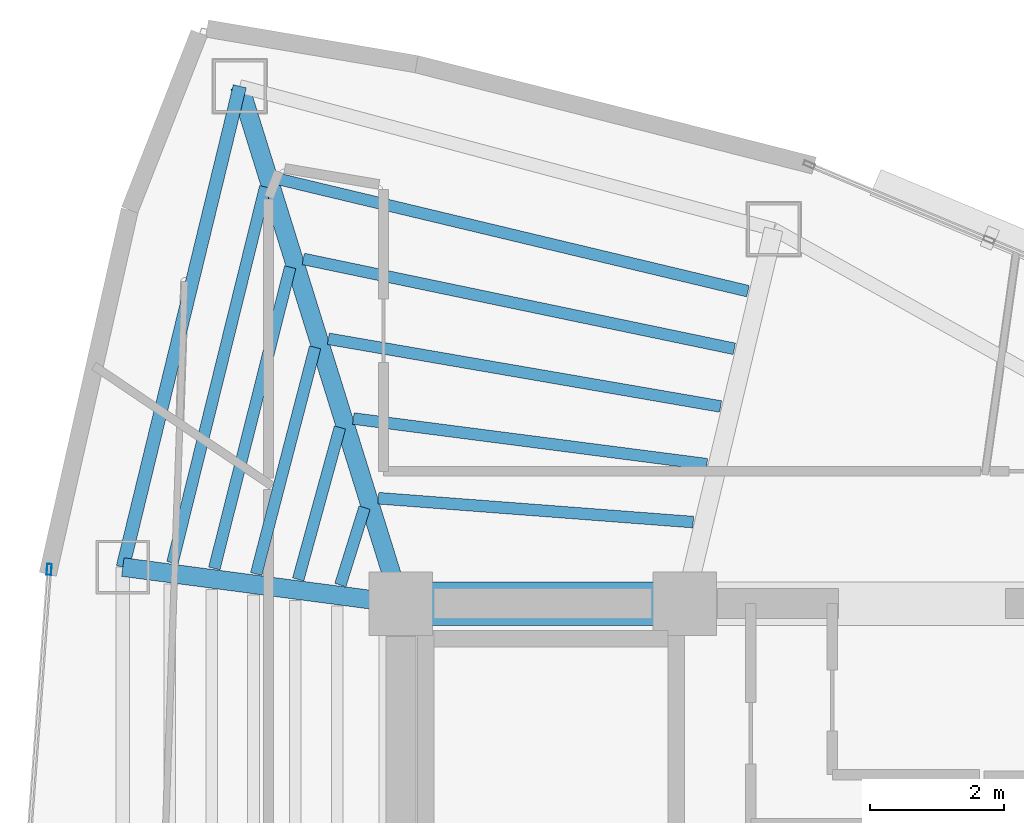
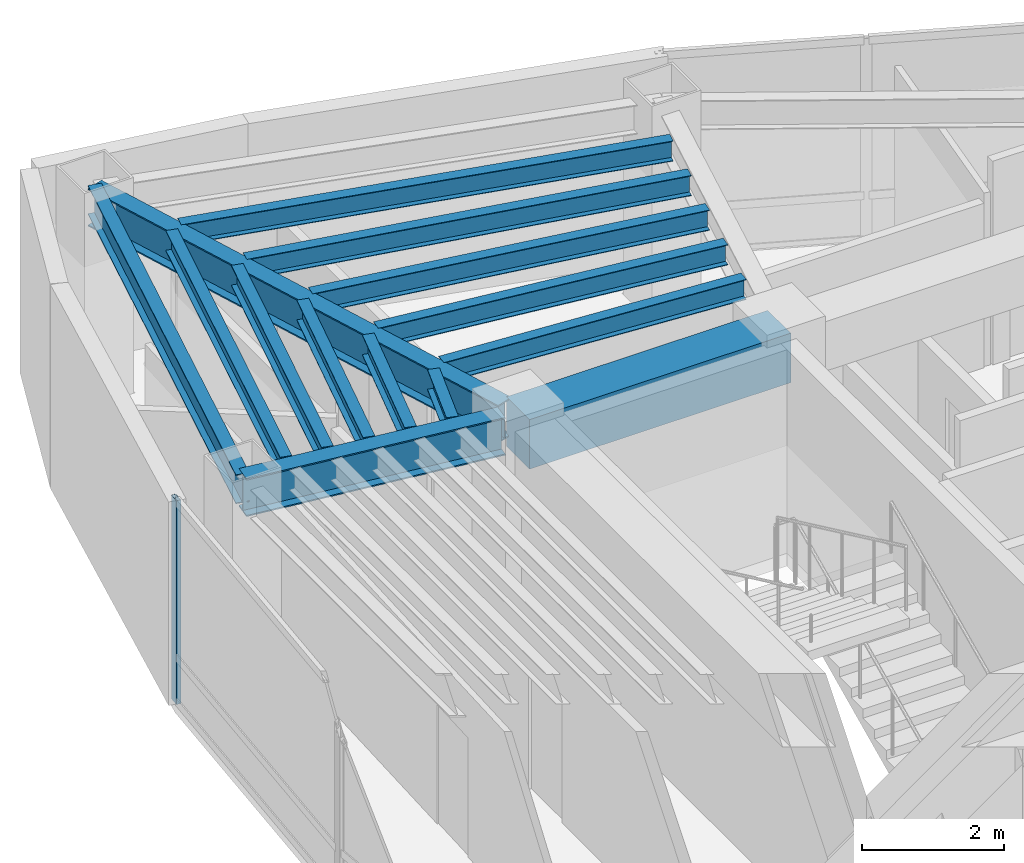
# One storey, part 7 of 16: 14 beams, 1 member, 1 element without a shape of its own.
"""IFC4 building model written with IfcOpenShell, lengths in metres."""

from ifc_helpers import new_model, si_unit, direction, frame, origin, origin_2d, place, context, subcontext, project, spatial, rectangle, hollow_rectangle, i_section, extrude, material, layer, layer_set, material_profile, profile_set, type_object, element, aggregate, save


model = new_model("IFC4")

# Units and contexts
model_context = context("Model", 3, precision=1e-05, world=origin(), true_north=direction((0.0, 1.0)))
body_context = subcontext(model_context, "Body", "Model", "MODEL_VIEW")
ifc_project = project(units=[si_unit("LENGTHUNIT", "METRE"), si_unit("AREAUNIT", "SQUARE_METRE"), si_unit("VOLUMEUNIT", "CUBIC_METRE"), si_unit("PLANEANGLEUNIT", "RADIAN"), si_unit("MASSUNIT", "GRAM", prefix="KILO")], contexts=[model_context])

# Site, building, storey
site_placement = place(None, origin())
site = spatial("IfcSite", under=ifc_project, at=site_placement, CompositionType="ELEMENT")
building_placement = place(site_placement, origin())
building = spatial("IfcBuilding", under=site, at=building_placement, Name="Menara Vayukalpa", CompositionType="ELEMENT")
storey_placement = place(building_placement, frame((0.0, 0.0, 276.89990234375)))
storey = spatial("IfcBuildingStorey", under=building, at=storey_placement, Name="L70", CompositionType="ELEMENT", Elevation=276.89990234375)

# Beams
ifc_material_1 = material(Name="Concrete C60/75", Category="concrete")
ifc_material_profile_1 = material_profile(ifc_material_1, rectangle(XDim=0.64990234375, YDim=0.85009765625, at=origin_2d()), Name="RC 650x850")
ifc_profile_set_1 = profile_set([ifc_material_profile_1], Name="Concrete C60/75")
beam_type_1 = type_object("IfcBeamType", Name="BM-CB1", PredefinedType="BEAM", material=ifc_profile_set_1)
beam_1_placement = place(storey_placement, frame((17.800048828125, 26.800048828125, 3.0751953125), z_axis=(1.0, 0.0, 0.0), x_axis=(0.0, 1.0, 0.0)))
element("IfcBeam", 1, at=beam_1_placement, inside=storey, type_object=beam_type_1, Name="L70 Core Tie Beam CBR4", PredefinedType="BEAM", context=body_context, shape_type="SweptSolid", body=[
    extrude(rectangle(XDim=0.64990234375, YDim=0.85009765625, at=origin_2d()), origin(), (0.0, 0.0, 1.0), 4.25),
])
ifc_material_2 = material(Name="Steel S355", Category="steel")
ifc_material_profile_2 = material_profile(ifc_material_2, i_section(OverallWidth=0.280029296875, OverallDepth=0.64990234375, WebThickness=0.012939453125, FlangeThickness=0.02197265625, at=origin_2d()), Name="WF 650x280x13x22")
ifc_profile_set_2 = profile_set([ifc_material_profile_2], Name="Steel S355")
beam_type_2 = type_object("IfcBeamType", Name="BM-PG6", PredefinedType="BEAM", material=ifc_profile_set_2)
beam_2_placement = place(storey_placement, frame((17.7255859375, 27.038818359375, 3.175048828125), z_axis=(-0.297213792842, 0.954810955815, 0.0), x_axis=(-0.954810955815, -0.297213792842, 0.0)))
element("IfcBeam", 2, at=beam_2_placement, inside=storey, type_object=beam_type_2, Name="L70 Primary Radial Girder RG04", PredefinedType="BEAM", context=body_context, shape_type="SweptSolid", body=[
    extrude(i_section(OverallWidth=0.280029296875, OverallDepth=0.64990234375, WebThickness=0.012939453125, FlangeThickness=0.02197265625, at=origin_2d()), origin(), (0.0, 0.0, 1.0), 7.861083984375),
])
beam_3_placement = place(storey_placement, frame((17.552001953125, 26.83251953125, 3.175048828125), z_axis=(-0.991477860763, 0.130275291662, 0.0), x_axis=(-0.130275291662, -0.991477860763, 0.0)))
element("IfcBeam", 3, at=beam_3_placement, inside=storey, type_object=beam_type_2, Name="L70 Primary Radial Girder RG05", PredefinedType="BEAM", context=body_context, shape_type="SweptSolid", body=[
    extrude(i_section(OverallWidth=0.280029296875, OverallDepth=0.64990234375, WebThickness=0.012939453125, FlangeThickness=0.02197265625, at=origin_2d()), origin(), (0.0, 0.0, 1.0), 3.94677734375),
])
ifc_material_3 = material(Name="Steel S355", Category="steel")
ifc_material_profile_3 = material_profile(ifc_material_3, i_section(OverallWidth=0.175048828125, OverallDepth=0.35009765625, WebThickness=0.007080078125, FlangeThickness=0.010986328125, at=origin_2d()), Name="WF 350x175x7x11")
ifc_profile_set_3 = profile_set([ifc_material_profile_3], Name="Steel S355")
beam_type_3 = type_object("IfcBeamType", Name="BM-SJ3", PredefinedType="JOIST", material=ifc_profile_set_3)
beam_4_placement = place(storey_placement, frame((22.177490234375, 28.0205078125, 3.3251953125), z_axis=(-0.997140447376, 0.075570683512, 0.0), x_axis=(-0.075570683512, -0.997140447376, 0.0)))
element("IfcBeam", 4, at=beam_4_placement, inside=storey, type_object=beam_type_3, Name="L70 Secondary Floor Joist SJ03-1", PredefinedType="JOIST", context=body_context, shape_type="SweptSolid", body=[
    extrude(i_section(OverallWidth=0.175048828125, OverallDepth=0.35009765625, WebThickness=0.007080078125, FlangeThickness=0.010986328125, at=origin_2d()), origin(), (0.0, 0.0, 1.0), 4.726318359375),
])
beam_5_placement = place(storey_placement, frame((22.38232421875, 28.88671875, 3.3251953125), z_axis=(-0.991761375414, 0.128099079766, 0.0), x_axis=(-0.128099079766, -0.991761375414, 0.0)))
element("IfcBeam", 5, at=beam_5_placement, inside=storey, type_object=beam_type_3, Name="L70 Secondary Floor Joist SJ03-2", PredefinedType="JOIST", context=body_context, shape_type="SweptSolid", body=[
    extrude(i_section(OverallWidth=0.175048828125, OverallDepth=0.35009765625, WebThickness=0.007080078125, FlangeThickness=0.010986328125, at=origin_2d()), origin(), (0.0, 0.0, 1.0), 5.33642578125),
])
beam_6_placement = place(storey_placement, frame((22.587158203125, 29.751220703125, 3.3251953125), z_axis=(-0.985438818134, 0.170030396443, 0.0), x_axis=(-0.170030396443, -0.985438818134, 0.0)))
element("IfcBeam", 6, at=beam_6_placement, inside=storey, type_object=beam_type_3, Name="L70 Secondary Floor Joist SJ03-3", PredefinedType="JOIST", context=body_context, shape_type="SweptSolid", body=[
    extrude(i_section(OverallWidth=0.175048828125, OverallDepth=0.35009765625, WebThickness=0.007080078125, FlangeThickness=0.010986328125, at=origin_2d()), origin(), (0.0, 0.0, 1.0), 5.958740234375),
])
beam_7_placement = place(storey_placement, frame((22.7919921875, 30.614501953125, 3.3251953125), z_axis=(-0.978940645958, 0.204145075108, 0.0), x_axis=(-0.204145075108, -0.978940645958, 0.0)))
element("IfcBeam", 7, at=beam_7_placement, inside=storey, type_object=beam_type_3, Name="L70 Secondary Floor Joist SJ03-4", PredefinedType="JOIST", context=body_context, shape_type="SweptSolid", body=[
    extrude(i_section(OverallWidth=0.175048828125, OverallDepth=0.35009765625, WebThickness=0.007080078125, FlangeThickness=0.010986328125, at=origin_2d()), origin(), (0.0, 0.0, 1.0), 6.5908203125),
])
beam_8_placement = place(storey_placement, frame((22.996826171875, 31.476806640625, 3.3251953125), z_axis=(-0.972633830791, 0.232343347656, 0.0), x_axis=(-0.232343347656, -0.972633830791, 0.0)))
element("IfcBeam", 8, at=beam_8_placement, inside=storey, type_object=beam_type_3, Name="L70 Secondary Floor Joist SJ03-5", PredefinedType="JOIST", context=body_context, shape_type="SweptSolid", body=[
    extrude(i_section(OverallWidth=0.175048828125, OverallDepth=0.35009765625, WebThickness=0.007080078125, FlangeThickness=0.010986328125, at=origin_2d()), origin(), (0.0, 0.0, 1.0), 7.229248046875),
])
beam_9_placement = place(storey_placement, frame((17.25732421875, 28.237060546875, 3.3251953125), z_axis=(-0.297954442868, -0.954580090917, 0.0), x_axis=(0.954580090917, -0.297954442868, 0.0)))
element("IfcBeam", 9, at=beam_9_placement, inside=storey, type_object=beam_type_3, Name="L70 Secondary Floor Joist SJ04-1", PredefinedType="JOIST", context=body_context, shape_type="SweptSolid", body=[
    extrude(i_section(OverallWidth=0.175048828125, OverallDepth=0.35009765625, WebThickness=0.007080078125, FlangeThickness=0.010986328125, at=origin_2d()), origin(), (0.0, 0.0, 1.0), 1.21435546875),
])
beam_10_placement = place(storey_placement, frame((16.888916015625, 29.436279296875, 3.3251953125), z_axis=(-0.264947201585, -0.96426292077, 0.0), x_axis=(0.96426292077, -0.264947201585, 0.0)))
element("IfcBeam", 10, at=beam_10_placement, inside=storey, type_object=beam_type_3, Name="L70 Secondary Floor Joist SJ04-2", PredefinedType="JOIST", context=body_context, shape_type="SweptSolid", body=[
    extrude(i_section(OverallWidth=0.175048828125, OverallDepth=0.35009765625, WebThickness=0.007080078125, FlangeThickness=0.010986328125, at=origin_2d()), origin(), (0.0, 0.0, 1.0), 2.35888671875),
])
beam_11_placement = place(storey_placement, frame((16.51708984375, 30.63671875, 3.3251953125), z_axis=(-0.251457685321, -0.967868292947, 0.0), x_axis=(0.967868292947, -0.251457685321, 0.0)))
element("IfcBeam", 11, at=beam_11_placement, inside=storey, type_object=beam_type_3, Name="L70 Secondary Floor Joist SJ04-3", PredefinedType="JOIST", context=body_context, shape_type="SweptSolid", body=[
    extrude(i_section(OverallWidth=0.175048828125, OverallDepth=0.35009765625, WebThickness=0.007080078125, FlangeThickness=0.010986328125, at=origin_2d()), origin(), (0.0, 0.0, 1.0), 3.5048828125),
])
beam_12_placement = place(storey_placement, frame((16.14453125, 31.83740234375, 3.3251953125), z_axis=(-0.244239657645, -0.969714901212, 0.0), x_axis=(0.969714901212, -0.244239657645, 0.0)))
element("IfcBeam", 12, at=beam_12_placement, inside=storey, type_object=beam_type_3, Name="L70 Secondary Floor Joist SJ04-4", PredefinedType="JOIST", context=body_context, shape_type="SweptSolid", body=[
    extrude(i_section(OverallWidth=0.175048828125, OverallDepth=0.35009765625, WebThickness=0.007080078125, FlangeThickness=0.010986328125, at=origin_2d()), origin(), (0.0, 0.0, 1.0), 4.651123046875),
])
beam_13_placement = place(storey_placement, frame((15.771240234375, 33.0380859375, 3.3251953125), z_axis=(-0.239690910211, -0.970849250688, 0.0), x_axis=(0.970849250688, -0.239690910211, 0.0)))
element("IfcBeam", 13, at=beam_13_placement, inside=storey, type_object=beam_type_3, Name="L70 Secondary Floor Joist SJ04-5", PredefinedType="JOIST", context=body_context, shape_type="SweptSolid", body=[
    extrude(i_section(OverallWidth=0.175048828125, OverallDepth=0.35009765625, WebThickness=0.007080078125, FlangeThickness=0.010986328125, at=origin_2d()), origin(), (0.0, 0.0, 1.0), 5.797607421875),
])
ifc_material_4 = material(Name="Steel S355", Category="steel")
ifc_material_profile_4 = material_profile(ifc_material_4, i_section(OverallWidth=0.199951171875, OverallDepth=0.5, WebThickness=0.010009765625, FlangeThickness=0.01611328125, at=origin_2d()), Name="WF 500x200x10x16")
ifc_profile_set_4 = profile_set([ifc_material_profile_4], Name="Steel S355")
beam_type_4 = type_object("IfcBeamType", Name="BM-SP3", PredefinedType="SPANDREL", material=ifc_profile_set_4)
beam_14_placement = place(storey_placement, frame((15.38916015625, 34.544677734375, 3.25), z_axis=(-0.236272525754, -0.97168682896, 0.0), x_axis=(0.97168682896, -0.236272525754, 0.0)))
element("IfcBeam", 14, at=beam_14_placement, inside=storey, type_object=beam_type_4, Name="L70 Perimeter Spandrel Beam SP04", PredefinedType="SPANDREL", context=body_context, shape_type="SweptSolid", body=[
    extrude(i_section(OverallWidth=0.199951171875, OverallDepth=0.5, WebThickness=0.010009765625, FlangeThickness=0.01611328125, at=origin_2d()), origin(), (0.0, 0.0, 1.0), 7.40771484375),
])

# Curtain wall, member
ifc_material_5 = material(Name="Anodised Terracotta Aluminium Alloy 6063-T6", Category="masonry")
ifc_layer = layer(ifc_material_5, 0.1650390625)
ifc_layer_set = layer_set([ifc_layer], Name="Anodised Terracotta Aluminium Alloy 6063-T6")
curtain_wall_type = type_object("IfcCurtainWallType", Name="CW-CW6", PredefinedType="USERDEFINED", material=ifc_layer_set)
curtain_wall_placement = place(storey_placement, origin())
curtain_wall = element("IfcCurtainWall", 15, at=curtain_wall_placement, inside=storey, type_object=curtain_wall_type, Name="L70 Observation and Executive Curtain Wall CW6 10", ObjectType="UNITISED", PredefinedType="USERDEFINED")
ifc_material_6 = material(Name="Anodised Terracotta Aluminium Alloy 6063-T6", Category="masonry")
ifc_material_profile_5 = material_profile(ifc_material_6, hollow_rectangle(XDim=0.070068359375, YDim=0.1650390625, WallThickness=0.00390625, at=origin_2d()), Name="ALU 70x165x4")
ifc_profile_set_5 = profile_set([ifc_material_profile_5], Name="Anodised Terracotta Aluminium Alloy 6063-T6")
member_type = type_object("IfcMemberType", Name="CWM-CW6", PredefinedType="MULLION", material=ifc_profile_set_5)
member_placement = place(storey_placement, frame((12.536376953125, 27.311767578125, 0.0), z_axis=(0.0, 0.0, 1.0), x_axis=(0.997199344663, -0.074789484574, 0.0)))
member = element("IfcMember", 16, at=member_placement, type_object=member_type, Name="CW6 mullion 1", PredefinedType="MULLION", context=body_context, shape_type="SweptSolid", body=[
    extrude(hollow_rectangle(XDim=0.070068359375, YDim=0.1650390625, WallThickness=0.00390625, at=origin_2d()), origin(), (0.0, 0.0, 1.0), 3.5),
])
aggregate(curtain_wall, [member])

save(model, "model.ifc")
